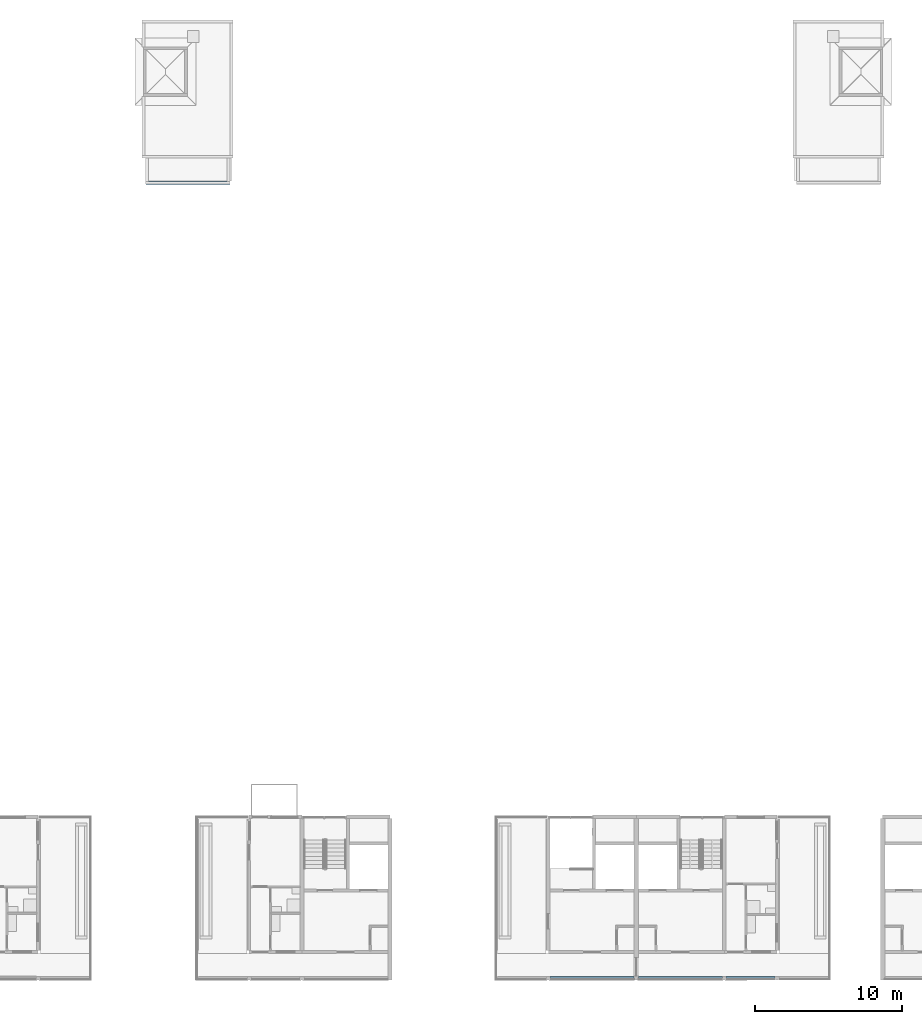
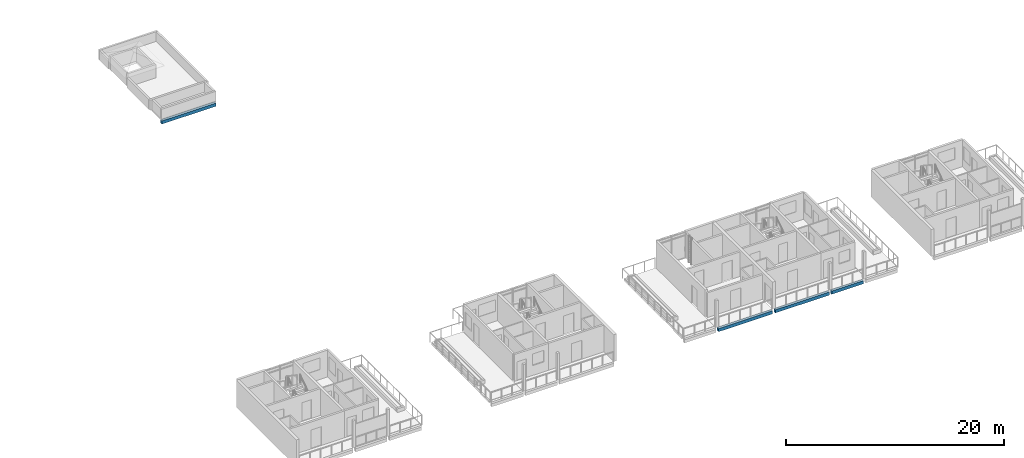
# One storey, part 9 of 41: 4 beams.
"""IFC4 building model written with IfcOpenShell, lengths in metres."""

from ifc_helpers import new_model, si_unit, direction, frame, origin, origin_2d, place, context, subcontext, project, spatial, rectangle, extrude, material, material_profile, profile_set, type_object, element, save


model = new_model("IFC4")

# Units and contexts
model_context = context("Model", 3, precision=1e-05, world=origin(), true_north=direction((0.0, 1.0)))
body_context = subcontext(model_context, "Body", "Model", "MODEL_VIEW")
ifc_project = project(units=[si_unit("LENGTHUNIT", "METRE"), si_unit("AREAUNIT", "SQUARE_METRE"), si_unit("VOLUMEUNIT", "CUBIC_METRE"), si_unit("PLANEANGLEUNIT", "RADIAN"), si_unit("MASSUNIT", "GRAM", prefix="KILO")], contexts=[model_context])

# Site, building, storey
site_placement = place(None, origin())
site = spatial("IfcSite", under=ifc_project, at=site_placement, CompositionType="ELEMENT")
building_placement = place(site_placement, origin())
building = spatial("IfcBuilding", under=site, at=building_placement, Name="Ridgestep Commons", CompositionType="ELEMENT")
storey_placement = place(building_placement, frame((0.0, 0.0, 39.0)))
storey = spatial("IfcBuildingStorey", under=building, at=storey_placement, Name="L13", CompositionType="ELEMENT", Elevation=39.0)

# Beams
ifc_material = material(Name="Precast concrete C40/50", Category="concrete")
ifc_material_profile = material_profile(ifc_material, rectangle(XDim=0.25, YDim=0.35009765625, at=origin_2d()), Name="PC 250x350")
ifc_profile_set = profile_set([ifc_material_profile], Name="Precast concrete C40/50")
beam_type = type_object("IfcBeamType", Name="Loggia edge beam 250 x 350", PredefinedType="SPANDREL", material=ifc_profile_set)
beam_1_placement = place(storey_placement, frame((180.550048828125, 66.125, -0.375), z_axis=(1.0, 0.0, 0.0), x_axis=(0.0, 1.0, 0.0)))
element("IfcBeam", 1, at=beam_1_placement, inside=storey, type_object=beam_type, Name="Loggia edge beam C3C L13", PredefinedType="SPANDREL", context=body_context, shape_type="SweptSolid", body=[
    extrude(rectangle(XDim=0.25, YDim=0.35009765625, at=origin_2d()), origin(), (0.0, 0.0, 1.0), 5.724853515625),
])
for number, where, z_axis, x_axis, name in (
    (2, (208.125, 11.875, -0.375), (1.0, 0.0, 0.0), (0.0, 1.0, 0.0), "Loggia edge beam D4C L13"),
    (3, (214.14990234375, 11.875, -0.375), (1.0, 0.0, 0.0), (0.0, 1.0, 0.0), "Loggia edge beam D5C L13"),
):
    element("IfcBeam", number, at=place(storey_placement, frame(where, z_axis=z_axis, x_axis=x_axis)), inside=storey, type_object=beam_type, Name=name, PredefinedType="SPANDREL", context=body_context, shape_type="SweptSolid", body=[
        extrude(rectangle(XDim=0.25, YDim=0.35009765625, at=origin_2d()), origin(), (0.0, 0.0, 1.0), 5.72509765625),
    ])
beam_2_placement = place(storey_placement, frame((220.125, 11.875, -0.375), z_axis=(1.0, 0.0, 0.0), x_axis=(0.0, 1.0, 0.0)))
element("IfcBeam", 4, at=beam_2_placement, inside=storey, type_object=beam_type, Name="Loggia edge beam D5T3 L13", PredefinedType="SPANDREL", context=body_context, shape_type="SweptSolid", body=[
    extrude(rectangle(XDim=0.25, YDim=0.35009765625, at=origin_2d()), origin(), (0.0, 0.0, 1.0), 3.35009765625),
])

save(model, "model.ifc")
